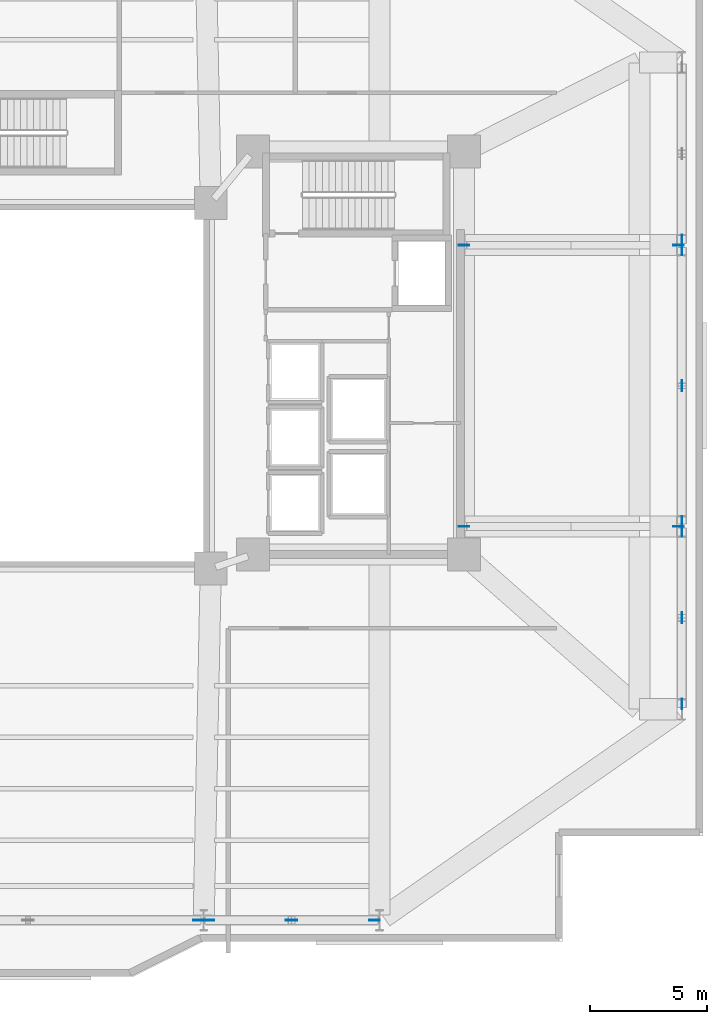
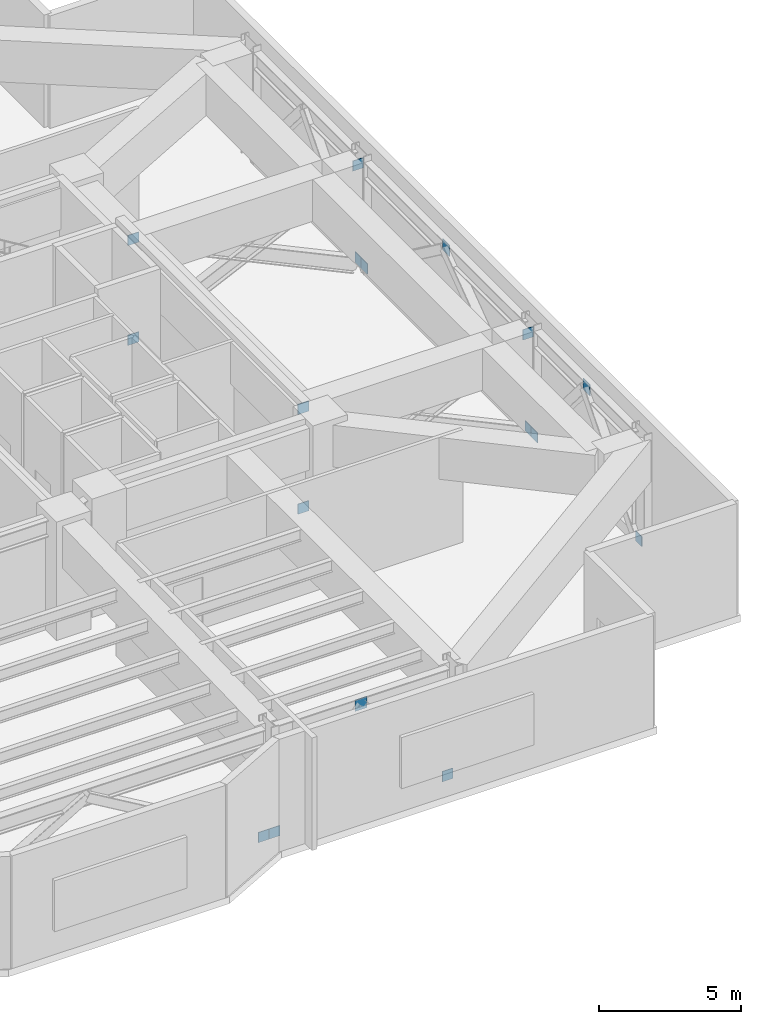
# One storey, part 5 of 12: 17 plates.
"""IFC4 building model written with IfcOpenShell, lengths in metres."""

from ifc_helpers import new_model, si_unit, direction, frame, origin, origin_2d, place, context, subcontext, project, spatial, rectangle, extrude, material, layer, layer_set, type_object, element, save


model = new_model("IFC4")

# Units and contexts
model_context = context("Model", 3, precision=1e-05, world=origin(), true_north=direction((0.0, 1.0)))
body_context = subcontext(model_context, "Body", "Model", "MODEL_VIEW")
ifc_project = project(units=[si_unit("LENGTHUNIT", "METRE"), si_unit("AREAUNIT", "SQUARE_METRE"), si_unit("VOLUMEUNIT", "CUBIC_METRE"), si_unit("PLANEANGLEUNIT", "RADIAN"), si_unit("MASSUNIT", "GRAM", prefix="KILO")], contexts=[model_context])

# Site, building, storey
site_placement = place(None, origin())
site = spatial("IfcSite", under=ifc_project, at=site_placement, CompositionType="ELEMENT")
building_placement = place(site_placement, origin())
building = spatial("IfcBuilding", under=site, at=building_placement, Name="Tarnavaz Court Tower", CompositionType="ELEMENT")
storey_placement = place(building_placement, frame((0.0, 0.0, 73.199951171875)))
storey = spatial("IfcBuildingStorey", under=building, at=storey_placement, Name="L19", CompositionType="ELEMENT", Elevation=73.199951171875)

# Plates
ifc_material = material(Name="Steel S355", Category="steel")
ifc_layer = layer(ifc_material, 0.030029296875)
ifc_layer_set = layer_set([ifc_layer], Name="Steel S355")
plate_type = type_object("IfcPlateType", Name="PL-GUSSET-30", PredefinedType="USERDEFINED", material=ifc_layer_set)
for number, where, z_axis, x_axis, name in (
    (1, (11.25, -22.800048828125, 4.260009765625), (0.0, 0.0, 1.0), (1.0, 0.0, 0.0), "L19 Belt Truss Apex Gusset & End-Cap Plate 06"),
    (2, (27.89990234375, -9.89990234375, 4.260009765625), (0.0, 0.0, 1.0), (0.0, 1.0, 0.0), "L19 Belt Truss Apex Gusset & End-Cap Plate 07"),
    (3, (27.89990234375, 0.0, 4.260009765625), (0.0, 0.0, 1.0), (0.0, 1.0, 0.0), "L19 Belt Truss Apex Gusset & End-Cap Plate 08"),
):
    element("IfcPlate", number, at=place(storey_placement, frame(where, z_axis=z_axis, x_axis=x_axis)), inside=storey, type_object=plate_type, Name=name, ObjectType="GUSSET PLATE", PredefinedType="USERDEFINED", context=body_context, shape_type="SweptSolid", body=[
        extrude(rectangle(XDim=0.47998046875, YDim=0.030029296875, at=origin_2d()), origin(), (0.0, 0.0, 1.0), 0.47998046875),
    ])
for number, where, z_axis, x_axis, name in (
    (4, (7.280029296875, -22.800048828125, -0.02001953125), (0.0, 0.0, 1.0), (1.0, 0.0, 0.0), "L19 Structural Brace & Strut End Gusset Plate 010"),
    (5, (7.719970703125, -22.800048828125, -0.02001953125), (0.0, 0.0, 1.0), (1.0, 0.0, 0.0), "L19 Structural Brace & Strut End Gusset Plate 011"),
    (6, (14.780029296875, -22.800048828125, -0.02001953125), (0.0, 0.0, 1.0), (1.0, 0.0, 0.0), "L19 Structural Brace & Strut End Gusset Plate 012"),
    (7, (27.89990234375, -13.580078125, -0.02001953125), (0.0, 0.0, 1.0), (0.0, 1.0, 0.0), "L19 Structural Brace & Strut End Gusset Plate 013"),
    (8, (27.89990234375, -6.219970703125, -0.02001953125), (0.0, 0.0, 1.0), (0.0, 1.0, 0.0), "L19 Structural Brace & Strut End Gusset Plate 014"),
    (9, (27.89990234375, -5.780029296875, -0.02001953125), (0.0, 0.0, 1.0), (0.0, 1.0, 0.0), "L19 Structural Brace & Strut End Gusset Plate 015"),
    (10, (27.89990234375, 5.780029296875, -0.02001953125), (0.0, 0.0, 1.0), (0.0, 1.0, 0.0), "L19 Structural Brace & Strut End Gusset Plate 016"),
    (11, (27.89990234375, 6.219970703125, -0.02001953125), (0.0, 0.0, 1.0), (0.0, 1.0, 0.0), "L19 Structural Brace & Strut End Gusset Plate 017"),
    (12, (18.60009765625, -6.0, -0.02001953125), (0.0, 0.0, 1.0), (1.0, 0.0, 0.0), "L19 Structural Brace & Strut End Gusset Plate 025"),
    (13, (27.760009765625, -6.0, 4.280029296875), (0.0, 0.0, 1.0), (1.0, 0.0, 0.0), "L19 Structural Brace & Strut End Gusset Plate 026"),
    (14, (18.60009765625, -6.0, 4.280029296875), (0.0, 0.0, 1.0), (1.0, 0.0, 0.0), "L19 Structural Brace & Strut End Gusset Plate 027"),
    (15, (18.60009765625, 6.0, -0.02001953125), (0.0, 0.0, 1.0), (1.0, 0.0, 0.0), "L19 Structural Brace & Strut End Gusset Plate 028"),
    (16, (27.760009765625, 6.0, 4.280029296875), (0.0, 0.0, 1.0), (1.0, 0.0, 0.0), "L19 Structural Brace & Strut End Gusset Plate 029"),
    (17, (18.60009765625, 6.0, 4.280029296875), (0.0, 0.0, 1.0), (1.0, 0.0, 0.0), "L19 Structural Brace & Strut End Gusset Plate 030"),
):
    element("IfcPlate", number, at=place(storey_placement, frame(where, z_axis=z_axis, x_axis=x_axis)), inside=storey, type_object=plate_type, Name=name, ObjectType="GUSSET PLATE", PredefinedType="USERDEFINED", context=body_context, shape_type="SweptSolid", body=[
        extrude(rectangle(XDim=0.43994140625, YDim=0.030029296875, at=origin_2d()), origin(), (0.0, 0.0, 1.0), 0.43994140625),
    ])

save(model, "model.ifc")
